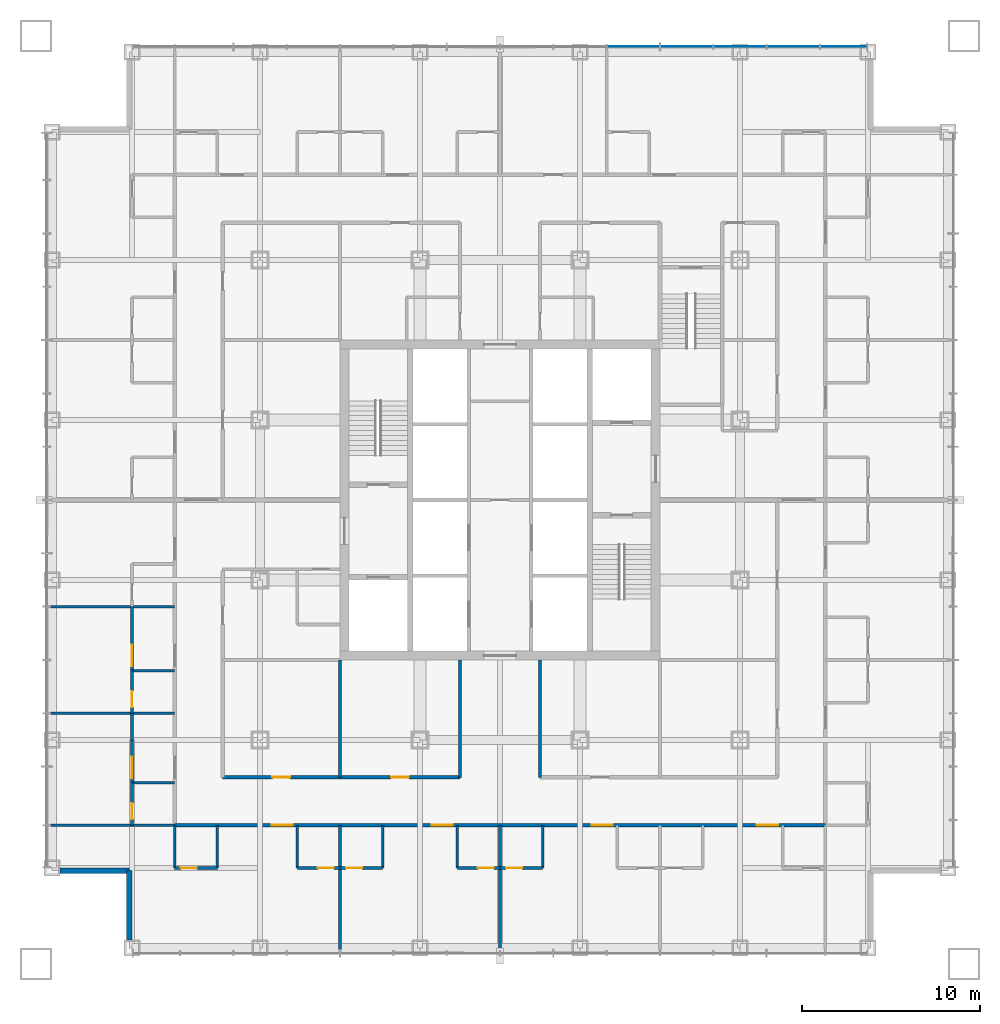
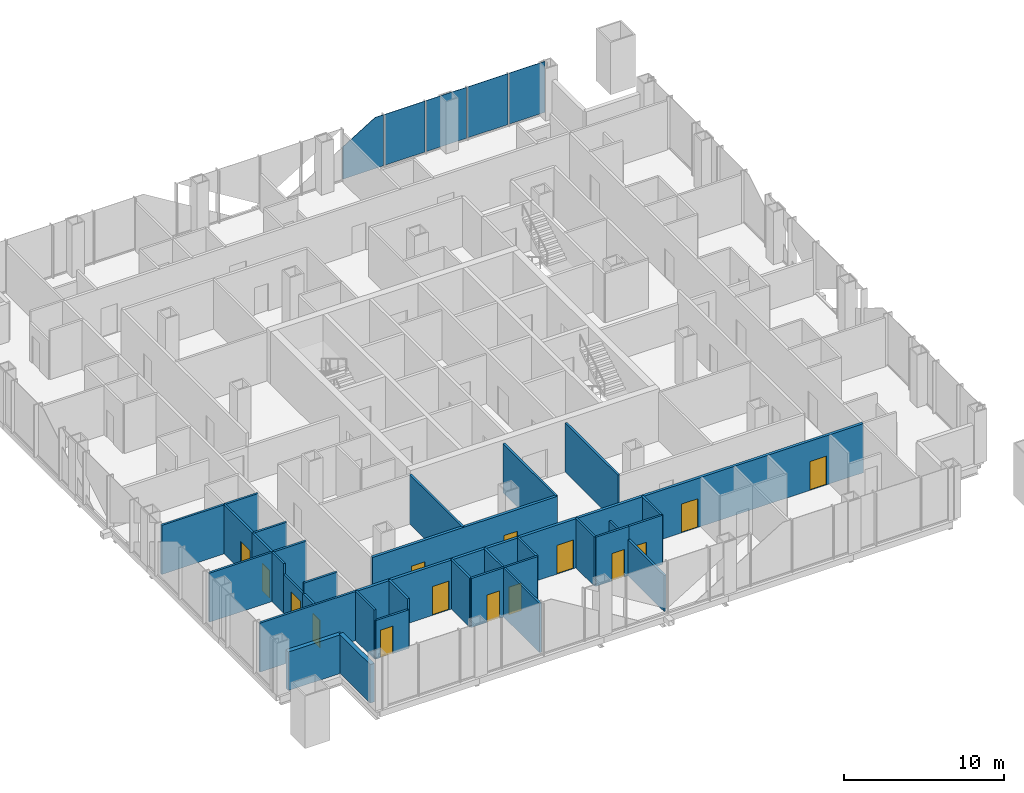
# One storey, part 7 of 13: 30 walls, 15 doors, 5 plates, 15 openings, 1 element without a shape of its own.
"""IFC4 building model written with IfcOpenShell, lengths in metres."""

from ifc_helpers import new_model, si_unit, direction, frame, frame_2d, origin, origin_2d, place, context, subcontext, project, spatial, polyline, rectangle, outline, extrude, material, layer, layer_set, type_object, element, fill, aggregate, save


model = new_model("IFC4")

# Units and contexts
model_context = context("Model", 3, precision=1e-05, world=origin(), true_north=direction((0.0, 1.0)))
body_context = subcontext(model_context, "Body", "Model", "MODEL_VIEW")
ifc_project = project(units=[si_unit("LENGTHUNIT", "METRE"), si_unit("AREAUNIT", "SQUARE_METRE"), si_unit("VOLUMEUNIT", "CUBIC_METRE"), si_unit("PLANEANGLEUNIT", "RADIAN"), si_unit("MASSUNIT", "GRAM", prefix="KILO")], contexts=[model_context])

# Site, building, storey
site_placement = place(None, origin())
site = spatial("IfcSite", under=ifc_project, at=site_placement, CompositionType="ELEMENT")
building_placement = place(site_placement, origin())
building = spatial("IfcBuilding", under=site, at=building_placement, Name="Malebo Sky Hospital", CompositionType="ELEMENT")
storey_placement = place(building_placement, frame((0.0, 0.0, 47.0)))
storey = spatial("IfcBuildingStorey", under=building, at=storey_placement, Name="L10", CompositionType="ELEMENT", Elevation=47.0)

# Curtain wall, plates
ifc_material_1 = material(Name="Anodised aluminium, natural silver", Category="aluminium")
ifc_layer_1 = layer(ifc_material_1, 0.25)
ifc_layer_set_1 = layer_set([ifc_layer_1], Name="WARD CURTAIN WALL NORTH AND SOUTH")
curtain_wall_type = type_object("IfcCurtainWallType", Name="WARD CURTAIN WALL NORTH AND SOUTH", PredefinedType="NOTDEFINED", material=ifc_layer_set_1)
curtain_wall_placement = place(storey_placement, origin())
curtain_wall = element("IfcCurtainWall", 1, at=curtain_wall_placement, inside=storey, type_object=curtain_wall_type, Name="NS curtain wall N", PredefinedType="NOTDEFINED")
ifc_material_2 = material(Name="Clear low-iron double glazing", Category="glass")
ifc_layer_2 = layer(ifc_material_2, 0.031982421875)
ifc_layer_set_2 = layer_set([ifc_layer_2], Name="VISION PANEL CLEAR 32")
plate_type = type_object("IfcPlateType", Name="VISION PANEL CLEAR 32", PredefinedType="CURTAIN_PANEL", material=ifc_layer_set_2)
plate_1_placement = place(storey_placement, frame((67.5, 87.5, 0.10009765625), z_axis=(0.0, 0.0, 1.0), x_axis=(1.0, 0.0, 0.0)))
plate_1 = element("IfcPlate", 2, at=plate_1_placement, type_object=plate_type, Name="Panel 10", PredefinedType="CURTAIN_PANEL", context=body_context, shape_type="SweptSolid", body=[
    extrude(outline(polyline([(-1.46240234375, 0.0), (1.46240234375, 0.0), (1.46240234375, 3.889892578125), (0.85791015625, 3.889892578125), (-1.46240234375, 2.467529296875), (-1.46240234375, 0.0)])), frame((0.0, 0.01611328125, 0.0), z_axis=(0.0, -1.0, 0.0), x_axis=(1.0, 0.0, 0.0)), (0.0, 0.0, 1.0), 0.031982421875),
])
plate_2_placement = place(storey_placement, frame((70.5, 87.5, 0.10009765625), z_axis=(0.0, 0.0, 1.0), x_axis=(1.0, 0.0, 0.0)))
plate_2 = element("IfcPlate", 3, at=plate_2_placement, type_object=plate_type, Name="Panel 11", PredefinedType="CURTAIN_PANEL", context=body_context, shape_type="SweptSolid", body=[
    extrude(rectangle(XDim=2.925048828125, YDim=0.031982421875, at=origin_2d()), origin(), (0.0, 0.0, 1.0), 3.889892578125),
])
plate_3_placement = place(storey_placement, frame((73.5, 87.5, 0.10009765625), z_axis=(0.0, 0.0, 1.0), x_axis=(1.0, 0.0, 0.0)))
plate_3 = element("IfcPlate", 4, at=plate_3_placement, type_object=plate_type, Name="Panel 12", PredefinedType="CURTAIN_PANEL", context=body_context, shape_type="SweptSolid", body=[
    extrude(rectangle(XDim=2.925048828125, YDim=0.031982421875, at=origin_2d()), origin(), (0.0, 0.0, 1.0), 3.889892578125),
])
plate_4_placement = place(storey_placement, frame((76.5, 87.5, 0.10009765625), z_axis=(0.0, 0.0, 1.0), x_axis=(1.0, 0.0, 0.0)))
plate_4 = element("IfcPlate", 5, at=plate_4_placement, type_object=plate_type, Name="Panel 13", PredefinedType="CURTAIN_PANEL", context=body_context, shape_type="SweptSolid", body=[
    extrude(rectangle(XDim=2.925048828125, YDim=0.031982421875, at=origin_2d()), origin(), (0.0, 0.0, 1.0), 3.889892578125),
])
plate_5_placement = place(storey_placement, frame((79.331298828125, 87.5, 0.10009765625), z_axis=(0.0, 0.0, 1.0), x_axis=(1.0, 0.0, 0.0)))
plate_5 = element("IfcPlate", 6, at=plate_5_placement, type_object=plate_type, Name="Panel 14", PredefinedType="CURTAIN_PANEL", context=body_context, shape_type="SweptSolid", body=[
    extrude(rectangle(XDim=2.58740234375, YDim=0.031982421875, at=origin_2d()), origin(), (0.0, 0.0, 1.0), 3.889892578125),
])
aggregate(curtain_wall, [plate_1, plate_2, plate_3, plate_4, plate_5])

# Wall, openings, doors
ifc_material_3 = material(Name="Gypsum board on steel studs", Category="steel")
ifc_layer_3 = layer(ifc_material_3, 0.199951171875)
ifc_layer_set_3 = layer_set([ifc_layer_3], Name="CORRIDOR WALL 200")
wall_type_1 = type_object("IfcWallType", Name="CORRIDOR WALL 200", PredefinedType="PARTITIONING", material=ifc_layer_set_3)
wall_1_placement = place(storey_placement, frame((78.300048828125, 43.699951171875, 0.0), z_axis=(0.0, 0.0, 1.0), x_axis=(-1.0, 0.0, 0.0)))
wall_1 = element("IfcWall", 7, at=wall_1_placement, inside=storey, type_object=wall_type_1, Name="Corridor Wall 200 SCO", PredefinedType="PARTITIONING", context=body_context, shape_type="SweptSolid", body=[
    extrude(rectangle(XDim=36.60009765625, YDim=0.199951171875, at=frame_2d((18.300048828125, 0.0))), origin(), (0.0, 0.0, 1.0), 3.75),
])
opening_1_placement = place(wall_1_placement, frame((2.64990234375, 0.0, 0.0)))
opening_1 = element("IfcOpeningElement", 8, at=opening_1_placement, cuts=wall_1, Name="Opening D01", PredefinedType="OPENING", context=body_context, shape_type="SweptSolid", body=[
    extrude(rectangle(XDim=1.199951171875, YDim=2.199951171875, at=frame_2d((0.60009765625, 1.10009765625))), frame((0.0, 0.10986328125, 0.0), z_axis=(0.0, -1.0, 0.0), x_axis=(1.0, 0.0, 0.0)), (0.0, 0.0, 1.0), 0.219970703125),
])
opening_2_placement = place(wall_1_placement, frame((11.949951171875, 0.0, 0.0)))
opening_2 = element("IfcOpeningElement", 9, at=opening_2_placement, cuts=wall_1, Name="Opening D01", PredefinedType="OPENING", context=body_context, shape_type="SweptSolid", body=[
    extrude(rectangle(XDim=1.199951171875, YDim=2.199951171875, at=frame_2d((0.60009765625, 1.10009765625))), frame((0.0, 0.10986328125, 0.0), z_axis=(0.0, -1.0, 0.0), x_axis=(1.0, 0.0, 0.0)), (0.0, 0.0, 1.0), 0.219970703125),
])
opening_3_placement = place(wall_1_placement, frame((20.949951171875, 0.0, 0.0)))
opening_3 = element("IfcOpeningElement", 10, at=opening_3_placement, cuts=wall_1, Name="Opening D01", PredefinedType="OPENING", context=body_context, shape_type="SweptSolid", body=[
    extrude(rectangle(XDim=1.199951171875, YDim=2.199951171875, at=frame_2d((0.60009765625, 1.10009765625))), frame((0.0, 0.10986328125, 0.0), z_axis=(0.0, -1.0, 0.0), x_axis=(1.0, 0.0, 0.0)), (0.0, 0.0, 1.0), 0.219970703125),
])
opening_4_placement = place(wall_1_placement, frame((29.949951171875, 0.0, 0.0)))
opening_4 = element("IfcOpeningElement", 11, at=opening_4_placement, cuts=wall_1, Name="Opening D01", PredefinedType="OPENING", context=body_context, shape_type="SweptSolid", body=[
    extrude(rectangle(XDim=1.199951171875, YDim=2.199951171875, at=frame_2d((0.60009765625, 1.10009765625))), frame((0.0, 0.10986328125, 0.0), z_axis=(0.0, -1.0, 0.0), x_axis=(1.0, 0.0, 0.0)), (0.0, 0.0, 1.0), 0.219970703125),
])
ifc_material_4 = material(Name="Hardwood-faced door leaf in steel frame", Category="steel")
door_type_1 = type_object("IfcDoorType", Name="BED DOOR 1200", OperationType="SINGLE_SWING_LEFT", PredefinedType="DOOR", material=ifc_material_4)
door_1_placement = place(opening_1_placement, origin())
door_1 = element("IfcDoor", 12, at=door_1_placement, inside=storey, type_object=door_type_1, Name="Four-bed bay door", OperationType="SINGLE_SWING_LEFT", OverallHeight=2.199951171875, OverallWidth=1.199951171875, PredefinedType="DOOR", context=body_context, shape_type="SweptSolid", body=[
    extrude(rectangle(XDim=1.199951171875, YDim=2.199951171875, at=frame_2d((0.60009765625, 1.10009765625))), frame((0.0, 0.02490234375, 0.0), z_axis=(0.0, -1.0, 0.0), x_axis=(1.0, 0.0, 0.0)), (0.0, 0.0, 1.0), 0.050048828125),
])
fill(opening_1, door_1)
door_2_placement = place(opening_2_placement, origin())
door_2 = element("IfcDoor", 13, at=door_2_placement, inside=storey, type_object=door_type_1, Name="Four-bed bay door", OperationType="SINGLE_SWING_LEFT", OverallHeight=2.199951171875, OverallWidth=1.199951171875, PredefinedType="DOOR", context=body_context, shape_type="SweptSolid", body=[
    extrude(rectangle(XDim=1.199951171875, YDim=2.199951171875, at=frame_2d((0.60009765625, 1.10009765625))), frame((0.0, 0.02490234375, 0.0), z_axis=(0.0, -1.0, 0.0), x_axis=(1.0, 0.0, 0.0)), (0.0, 0.0, 1.0), 0.050048828125),
])
fill(opening_2, door_2)
door_3_placement = place(opening_3_placement, origin())
door_3 = element("IfcDoor", 14, at=door_3_placement, inside=storey, type_object=door_type_1, Name="Four-bed bay door", OperationType="SINGLE_SWING_LEFT", OverallHeight=2.199951171875, OverallWidth=1.199951171875, PredefinedType="DOOR", context=body_context, shape_type="SweptSolid", body=[
    extrude(rectangle(XDim=1.199951171875, YDim=2.199951171875, at=frame_2d((0.60009765625, 1.10009765625))), frame((0.0, 0.02490234375, 0.0), z_axis=(0.0, -1.0, 0.0), x_axis=(1.0, 0.0, 0.0)), (0.0, 0.0, 1.0), 0.050048828125),
])
fill(opening_3, door_3)
door_4_placement = place(opening_4_placement, origin())
door_4 = element("IfcDoor", 15, at=door_4_placement, inside=storey, type_object=door_type_1, Name="Four-bed bay door", OperationType="SINGLE_SWING_LEFT", OverallHeight=2.199951171875, OverallWidth=1.199951171875, PredefinedType="DOOR", context=body_context, shape_type="SweptSolid", body=[
    extrude(rectangle(XDim=1.199951171875, YDim=2.199951171875, at=frame_2d((0.60009765625, 1.10009765625))), frame((0.0, 0.02490234375, 0.0), z_axis=(0.0, -1.0, 0.0), x_axis=(1.0, 0.0, 0.0)), (0.0, 0.0, 1.0), 0.050048828125),
])
fill(opening_4, door_4)

wall_2_placement = place(storey_placement, frame((57.75, 46.39990234375, 0.0), z_axis=(0.0, 0.0, 1.0), x_axis=(-1.0, 0.0, 0.0)))
wall_2 = element("IfcWall", 16, at=wall_2_placement, inside=storey, type_object=wall_type_1, Name="Corridor Wall 200 SCI2", PredefinedType="PARTITIONING", context=body_context, shape_type="SweptSolid", body=[
    extrude(rectangle(XDim=13.35009765625, YDim=0.199951171875, at=frame_2d((6.675048828125, 0.0))), origin(), (0.0, 0.0, 1.0), 3.75),
])
opening_5_placement = place(wall_2_placement, frame((2.875, 0.0, 0.0)))
opening_5 = element("IfcOpeningElement", 17, at=opening_5_placement, cuts=wall_2, Name="Opening D03", PredefinedType="OPENING", context=body_context, shape_type="SweptSolid", body=[
    extrude(rectangle(XDim=1.0, YDim=2.10009765625, at=frame_2d((0.5, 1.050048828125))), frame((0.0, 0.10986328125, 0.0), z_axis=(0.0, -1.0, 0.0), x_axis=(1.0, 0.0, 0.0)), (0.0, 0.0, 1.0), 0.219970703125),
])
opening_6_placement = place(wall_2_placement, frame((9.550048828125, 0.0, 0.0)))
opening_6 = element("IfcOpeningElement", 18, at=opening_6_placement, cuts=wall_2, Name="Opening D03", PredefinedType="OPENING", context=body_context, shape_type="SweptSolid", body=[
    extrude(rectangle(XDim=1.0, YDim=2.10009765625, at=frame_2d((0.5, 1.050048828125))), frame((0.0, 0.10986328125, 0.0), z_axis=(0.0, -1.0, 0.0), x_axis=(1.0, 0.0, 0.0)), (0.0, 0.0, 1.0), 0.219970703125),
])
door_type_2 = type_object("IfcDoorType", Name="ROOM DOOR 1000", OperationType="SINGLE_SWING_LEFT", PredefinedType="DOOR", material=ifc_material_4)
door_5_placement = place(opening_5_placement, origin())
door_5 = element("IfcDoor", 19, at=door_5_placement, inside=storey, type_object=door_type_2, Name="Ward pantry door", OperationType="SINGLE_SWING_LEFT", OverallHeight=2.10009765625, OverallWidth=1.0, PredefinedType="DOOR", context=body_context, shape_type="SweptSolid", body=[
    extrude(rectangle(XDim=1.0, YDim=2.10009765625, at=frame_2d((0.5, 1.050048828125))), frame((0.0, 0.02490234375, 0.0), z_axis=(0.0, -1.0, 0.0), x_axis=(1.0, 0.0, 0.0)), (0.0, 0.0, 1.0), 0.050048828125),
])
fill(opening_5, door_5)
door_6_placement = place(opening_6_placement, origin())
door_6 = element("IfcDoor", 20, at=door_6_placement, inside=storey, type_object=door_type_2, Name="Clean utility room door", OperationType="SINGLE_SWING_RIGHT", OverallHeight=2.10009765625, OverallWidth=1.0, PredefinedType="DOOR", context=body_context, shape_type="SweptSolid", body=[
    extrude(rectangle(XDim=1.0, YDim=2.10009765625, at=frame_2d((0.5, 1.050048828125))), frame((0.0, 0.02490234375, 0.0), z_axis=(0.0, -1.0, 0.0), x_axis=(1.0, 0.0, 0.0)), (0.0, 0.0, 1.0), 0.050048828125),
])
fill(opening_6, door_6)

# Walls
ifc_material_5 = material(Name="Anodised aluminium rainscreen on steel framing", Category="steel")
ifc_layer_4 = layer(ifc_material_5, 0.300048828125)
ifc_layer_set_4 = layer_set([ifc_layer_4], Name="NOTCH RAINSCREEN WALL 300")
wall_type_2 = type_object("IfcWallType", Name="NOTCH RAINSCREEN WALL 300", PredefinedType="ELEMENTEDWALL", material=ifc_layer_set_4)
for number, where, z_axis, x_axis, name in (
    (21, (39.14990234375, 37.25, 0.0), (0.0, 0.0, 1.0), (0.0, 1.0, 0.0), "Notch rainscreen wall S1 L10"),
    (22, (39.14990234375, 41.14990234375, 0.0), (0.0, 0.0, 1.0), (-1.0, 0.0, 0.0), "Notch rainscreen wall S2 L10"),
):
    element("IfcWall", number, at=place(storey_placement, frame(where, z_axis=z_axis, x_axis=x_axis)), inside=storey, type_object=wall_type_2, Name=name, PredefinedType="ELEMENTEDWALL", context=body_context, shape_type="SweptSolid", body=[
        extrude(rectangle(XDim=3.89990234375, YDim=0.300048828125, at=frame_2d((1.949951171875, 0.0))), origin(), (0.0, 0.0, 1.0), 2.949951171875),
    ])
ifc_layer_5 = layer(ifc_material_3, 0.14990234375)
ifc_layer_set_5 = layer_set([ifc_layer_5], Name="PARTITION 150")
wall_type_3 = type_object("IfcWallType", Name="PARTITION 150", PredefinedType="PARTITIONING", material=ifc_layer_set_5)
for number, where, z_axis, x_axis, name in (
    (23, (41.699951171875, 50.0, 0.0), (0.0, 0.0, 1.0), (-1.0, 0.0, 0.0), "Partition 150 WP-12.0"),
    (24, (41.699951171875, 56.0, 0.0), (0.0, 0.0, 1.0), (-1.0, 0.0, 0.0), "Partition 150 WP-6.0"),
    (25, (41.699951171875, 43.699951171875, 0.0), (0.0, 0.0, 1.0), (-1.0, 0.0, 0.0), "Partition 150 WP0"),
):
    element("IfcWall", number, at=place(storey_placement, frame(where, z_axis=z_axis, x_axis=x_axis)), inside=storey, type_object=wall_type_3, Name=name, PredefinedType="PARTITIONING", context=body_context, shape_type="SweptSolid", body=[
        extrude(rectangle(XDim=6.974853515625, YDim=0.14990234375, at=frame_2d((3.4873046875, 0.0))), origin(), (0.0, 0.0, 1.0), 3.75),
    ])

# Wall, opening, door
wall_3_placement = place(storey_placement, frame((39.300048828125, 43.699951171875, 0.0), z_axis=(0.0, 0.0, 1.0), x_axis=(0.0, 1.0, 0.0)))
wall_3 = element("IfcWall", 26, at=wall_3_placement, inside=storey, type_object=wall_type_3, Name="Partition 150 WE0F", PredefinedType="PARTITIONING", context=body_context, shape_type="SweptSolid", body=[
    extrude(rectangle(XDim=2.400146484375, YDim=0.14990234375, at=frame_2d((1.2001953125, 0.0))), origin(), (0.0, 0.0, 1.0), 2.949951171875),
])
opening_7_placement = place(wall_3_placement, frame((0.35009765625, 0.0, 0.0)))
opening_7 = element("IfcOpeningElement", 27, at=opening_7_placement, cuts=wall_3, Name="Opening D02", PredefinedType="OPENING", context=body_context, shape_type="SweptSolid", body=[
    extrude(rectangle(XDim=0.89990234375, YDim=2.10009765625, at=frame_2d((0.449951171875, 1.050048828125))), frame((0.0, 0.0849609375, 0.0), z_axis=(0.0, -1.0, 0.0), x_axis=(1.0, 0.0, 0.0)), (0.0, 0.0, 1.0), 0.169921875),
])
door_type_3 = type_object("IfcDoorType", Name="EN-SUITE DOOR 900", OperationType="SINGLE_SWING_LEFT", PredefinedType="DOOR", material=ifc_material_4)
door_7_placement = place(opening_7_placement, origin())
door_7 = element("IfcDoor", 28, at=door_7_placement, inside=storey, type_object=door_type_3, Name="En-suite door", OperationType="SINGLE_SWING_LEFT", OverallHeight=2.10009765625, OverallWidth=0.89990234375, PredefinedType="DOOR", context=body_context, shape_type="SweptSolid", body=[
    extrude(rectangle(XDim=0.89990234375, YDim=2.10009765625, at=frame_2d((0.449951171875, 1.050048828125))), frame((0.0, 0.02490234375, 0.0), z_axis=(0.0, -1.0, 0.0), x_axis=(1.0, 0.0, 0.0)), (0.0, 0.0, 1.0), 0.050048828125),
])
fill(opening_7, door_7)

# Wall
wall_4_placement = place(storey_placement, frame((41.699951171875, 46.10009765625, 0.0), z_axis=(0.0, 0.0, 1.0), x_axis=(-1.0, 0.0, 0.0)))
element("IfcWall", 29, at=wall_4_placement, inside=storey, type_object=wall_type_3, Name="Partition 150 WE0S", PredefinedType="PARTITIONING", context=body_context, shape_type="SweptSolid", body=[
    extrude(rectangle(XDim=2.39990234375, YDim=0.14990234375, at=frame_2d((1.199951171875, 0.0))), origin(), (0.0, 0.0, 1.0), 3.75),
])

# Wall, opening, door
wall_5_placement = place(storey_placement, frame((39.300048828125, 50.0, 0.0), z_axis=(0.0, 0.0, 1.0), x_axis=(0.0, 1.0, 0.0)))
wall_5 = element("IfcWall", 30, at=wall_5_placement, inside=storey, type_object=wall_type_3, Name="Partition 150 WE1F", PredefinedType="PARTITIONING", context=body_context, shape_type="SweptSolid", body=[
    extrude(rectangle(XDim=2.39990234375, YDim=0.14990234375, at=frame_2d((1.199951171875, 0.0))), origin(), (0.0, 0.0, 1.0), 3.75),
])
opening_8_placement = place(wall_5_placement, frame((0.35009765625, 0.0, 0.0)))
opening_8 = element("IfcOpeningElement", 31, at=opening_8_placement, cuts=wall_5, Name="Opening D02", PredefinedType="OPENING", context=body_context, shape_type="SweptSolid", body=[
    extrude(rectangle(XDim=0.89990234375, YDim=2.10009765625, at=frame_2d((0.449951171875, 1.050048828125))), frame((0.0, 0.0849609375, 0.0), z_axis=(0.0, -1.0, 0.0), x_axis=(1.0, 0.0, 0.0)), (0.0, 0.0, 1.0), 0.169921875),
])
door_8_placement = place(opening_8_placement, origin())
door_8 = element("IfcDoor", 32, at=door_8_placement, inside=storey, type_object=door_type_3, Name="En-suite door", OperationType="SINGLE_SWING_LEFT", OverallHeight=2.10009765625, OverallWidth=0.89990234375, PredefinedType="DOOR", context=body_context, shape_type="SweptSolid", body=[
    extrude(rectangle(XDim=0.89990234375, YDim=2.10009765625, at=frame_2d((0.449951171875, 1.050048828125))), frame((0.0, 0.02490234375, 0.0), z_axis=(0.0, -1.0, 0.0), x_axis=(1.0, 0.0, 0.0)), (0.0, 0.0, 1.0), 0.050048828125),
])
fill(opening_8, door_8)

# Walls
wall_6_placement = place(storey_placement, frame((41.699951171875, 52.39990234375, 0.0), z_axis=(0.0, 0.0, 1.0), x_axis=(-1.0, 0.0, 0.0)))
element("IfcWall", 33, at=wall_6_placement, inside=storey, type_object=wall_type_3, Name="Partition 150 WE1S", PredefinedType="PARTITIONING", context=body_context, shape_type="SweptSolid", body=[
    extrude(rectangle(XDim=2.39990234375, YDim=0.14990234375, at=frame_2d((1.199951171875, 0.0))), origin(), (0.0, 0.0, 1.0), 3.75),
])
wall_7_placement = place(storey_placement, frame((60.0, 43.699951171875, 0.0), z_axis=(0.0, 0.0, 1.0), x_axis=(0.0, -1.0, 0.0)))
element("IfcWall", 34, at=wall_7_placement, inside=storey, type_object=wall_type_3, Name="Partition 150 SP+0.0", PredefinedType="PARTITIONING", context=body_context, shape_type="SweptSolid", body=[
    extrude(rectangle(XDim=6.974853515625, YDim=0.14990234375, at=frame_2d((3.4873046875, 0.0))), origin(), (0.0, 0.0, 1.0), 2.75),
])
wall_8_placement = place(storey_placement, frame((51.0, 43.699951171875, 0.0), z_axis=(0.0, 0.0, 1.0), x_axis=(0.0, -1.0, 0.0)))
element("IfcWall", 35, at=wall_8_placement, inside=storey, type_object=wall_type_3, Name="Partition 150 SP+9.0", PredefinedType="PARTITIONING", context=body_context, shape_type="SweptSolid", body=[
    extrude(rectangle(XDim=6.974853515625, YDim=0.14990234375, at=frame_2d((3.4873046875, 0.0))), origin(), (0.0, 0.0, 1.0), 3.75),
])

# Wall, opening, door
wall_9_placement = place(storey_placement, frame((62.39990234375, 41.300048828125, 0.0), z_axis=(0.0, 0.0, 1.0), x_axis=(-1.0, 0.0, 0.0)))
wall_9 = element("IfcWall", 36, at=wall_9_placement, inside=storey, type_object=wall_type_3, Name="Partition 150 SG1F", PredefinedType="PARTITIONING", context=body_context, shape_type="SweptSolid", body=[
    extrude(rectangle(XDim=2.39990234375, YDim=0.14990234375, at=frame_2d((1.199951171875, 0.0))), origin(), (0.0, 0.0, 1.0), 3.75),
])
opening_9_placement = place(wall_9_placement, frame((1.14990234375, 0.0, 0.0)))
opening_9 = element("IfcOpeningElement", 37, at=opening_9_placement, cuts=wall_9, Name="Opening D02", PredefinedType="OPENING", context=body_context, shape_type="SweptSolid", body=[
    extrude(rectangle(XDim=0.89990234375, YDim=2.10009765625, at=frame_2d((0.449951171875, 1.050048828125))), frame((0.0, 0.0849609375, 0.0), z_axis=(0.0, -1.0, 0.0), x_axis=(1.0, 0.0, 0.0)), (0.0, 0.0, 1.0), 0.169921875),
])
door_9_placement = place(opening_9_placement, origin())
door_9 = element("IfcDoor", 38, at=door_9_placement, inside=storey, type_object=door_type_3, Name="En-suite door", OperationType="SINGLE_SWING_RIGHT", OverallHeight=2.10009765625, OverallWidth=0.89990234375, PredefinedType="DOOR", context=body_context, shape_type="SweptSolid", body=[
    extrude(rectangle(XDim=0.89990234375, YDim=2.10009765625, at=frame_2d((0.449951171875, 1.050048828125))), frame((0.0, 0.02490234375, 0.0), z_axis=(0.0, -1.0, 0.0), x_axis=(1.0, 0.0, 0.0)), (0.0, 0.0, 1.0), 0.050048828125),
])
fill(opening_9, door_9)

# Wall
wall_10_placement = place(storey_placement, frame((62.39990234375, 43.699951171875, 0.0), z_axis=(0.0, 0.0, 1.0), x_axis=(0.0, -1.0, 0.0)))
element("IfcWall", 39, at=wall_10_placement, inside=storey, type_object=wall_type_3, Name="Partition 150 SG1S", PredefinedType="PARTITIONING", context=body_context, shape_type="SweptSolid", body=[
    extrude(rectangle(XDim=2.39990234375, YDim=0.14990234375, at=frame_2d((1.199951171875, 0.0))), origin(), (0.0, 0.0, 1.0), 3.75),
])

# Wall, opening, door
wall_11_placement = place(storey_placement, frame((60.0, 41.300048828125, 0.0), z_axis=(0.0, 0.0, 1.0), x_axis=(-1.0, 0.0, 0.0)))
wall_11 = element("IfcWall", 40, at=wall_11_placement, inside=storey, type_object=wall_type_3, Name="Partition 150 SE2F", PredefinedType="PARTITIONING", context=body_context, shape_type="SweptSolid", body=[
    extrude(rectangle(XDim=2.39990234375, YDim=0.14990234375, at=frame_2d((1.199951171875, 0.0))), origin(), (0.0, 0.0, 1.0), 3.75),
])
opening_10_placement = place(wall_11_placement, frame((0.35009765625, 0.0, 0.0)))
opening_10 = element("IfcOpeningElement", 41, at=opening_10_placement, cuts=wall_11, Name="Opening D02", PredefinedType="OPENING", context=body_context, shape_type="SweptSolid", body=[
    extrude(rectangle(XDim=0.89990234375, YDim=2.10009765625, at=frame_2d((0.449951171875, 1.050048828125))), frame((0.0, 0.0849609375, 0.0), z_axis=(0.0, -1.0, 0.0), x_axis=(1.0, 0.0, 0.0)), (0.0, 0.0, 1.0), 0.169921875),
])
door_10_placement = place(opening_10_placement, origin())
door_10 = element("IfcDoor", 42, at=door_10_placement, inside=storey, type_object=door_type_3, Name="En-suite door", OperationType="SINGLE_SWING_LEFT", OverallHeight=2.10009765625, OverallWidth=0.89990234375, PredefinedType="DOOR", context=body_context, shape_type="SweptSolid", body=[
    extrude(rectangle(XDim=0.89990234375, YDim=2.10009765625, at=frame_2d((0.449951171875, 1.050048828125))), frame((0.0, 0.02490234375, 0.0), z_axis=(0.0, -1.0, 0.0), x_axis=(1.0, 0.0, 0.0)), (0.0, 0.0, 1.0), 0.050048828125),
])
fill(opening_10, door_10)

# Wall
wall_12_placement = place(storey_placement, frame((57.60009765625, 43.699951171875, 0.0), z_axis=(0.0, 0.0, 1.0), x_axis=(0.0, -1.0, 0.0)))
element("IfcWall", 43, at=wall_12_placement, inside=storey, type_object=wall_type_3, Name="Partition 150 SE2S", PredefinedType="PARTITIONING", context=body_context, shape_type="SweptSolid", body=[
    extrude(rectangle(XDim=2.39990234375, YDim=0.14990234375, at=frame_2d((1.199951171875, 0.0))), origin(), (0.0, 0.0, 1.0), 3.75),
])

# Wall, opening, door
wall_13_placement = place(storey_placement, frame((53.39990234375, 41.300048828125, 0.0), z_axis=(0.0, 0.0, 1.0), x_axis=(-1.0, 0.0, 0.0)))
wall_13 = element("IfcWall", 44, at=wall_13_placement, inside=storey, type_object=wall_type_3, Name="Partition 150 SG2F", PredefinedType="PARTITIONING", context=body_context, shape_type="SweptSolid", body=[
    extrude(rectangle(XDim=2.39990234375, YDim=0.14990234375, at=frame_2d((1.199951171875, 0.0))), origin(), (0.0, 0.0, 1.0), 3.75),
])
opening_11_placement = place(wall_13_placement, frame((1.14990234375, 0.0, 0.0)))
opening_11 = element("IfcOpeningElement", 45, at=opening_11_placement, cuts=wall_13, Name="Opening D02", PredefinedType="OPENING", context=body_context, shape_type="SweptSolid", body=[
    extrude(rectangle(XDim=0.89990234375, YDim=2.10009765625, at=frame_2d((0.449951171875, 1.050048828125))), frame((0.0, 0.0849609375, 0.0), z_axis=(0.0, -1.0, 0.0), x_axis=(1.0, 0.0, 0.0)), (0.0, 0.0, 1.0), 0.169921875),
])
door_11_placement = place(opening_11_placement, origin())
door_11 = element("IfcDoor", 46, at=door_11_placement, inside=storey, type_object=door_type_3, Name="En-suite door", OperationType="SINGLE_SWING_RIGHT", OverallHeight=2.10009765625, OverallWidth=0.89990234375, PredefinedType="DOOR", context=body_context, shape_type="SweptSolid", body=[
    extrude(rectangle(XDim=0.89990234375, YDim=2.10009765625, at=frame_2d((0.449951171875, 1.050048828125))), frame((0.0, 0.02490234375, 0.0), z_axis=(0.0, -1.0, 0.0), x_axis=(1.0, 0.0, 0.0)), (0.0, 0.0, 1.0), 0.050048828125),
])
fill(opening_11, door_11)

# Wall
wall_14_placement = place(storey_placement, frame((53.39990234375, 43.699951171875, 0.0), z_axis=(0.0, 0.0, 1.0), x_axis=(0.0, -1.0, 0.0)))
element("IfcWall", 47, at=wall_14_placement, inside=storey, type_object=wall_type_3, Name="Partition 150 SG2S", PredefinedType="PARTITIONING", context=body_context, shape_type="SweptSolid", body=[
    extrude(rectangle(XDim=2.39990234375, YDim=0.14990234375, at=frame_2d((1.199951171875, 0.0))), origin(), (0.0, 0.0, 1.0), 3.75),
])

# Wall, opening, door
wall_15_placement = place(storey_placement, frame((51.0, 41.300048828125, 0.0), z_axis=(0.0, 0.0, 1.0), x_axis=(-1.0, 0.0, 0.0)))
wall_15 = element("IfcWall", 48, at=wall_15_placement, inside=storey, type_object=wall_type_3, Name="Partition 150 SE3F", PredefinedType="PARTITIONING", context=body_context, shape_type="SweptSolid", body=[
    extrude(rectangle(XDim=2.39990234375, YDim=0.14990234375, at=frame_2d((1.199951171875, 0.0))), origin(), (0.0, 0.0, 1.0), 3.75),
])
opening_12_placement = place(wall_15_placement, frame((0.35009765625, 0.0, 0.0)))
opening_12 = element("IfcOpeningElement", 49, at=opening_12_placement, cuts=wall_15, Name="Opening D02", PredefinedType="OPENING", context=body_context, shape_type="SweptSolid", body=[
    extrude(rectangle(XDim=0.89990234375, YDim=2.10009765625, at=frame_2d((0.449951171875, 1.050048828125))), frame((0.0, 0.0849609375, 0.0), z_axis=(0.0, -1.0, 0.0), x_axis=(1.0, 0.0, 0.0)), (0.0, 0.0, 1.0), 0.169921875),
])
door_12_placement = place(opening_12_placement, origin())
door_12 = element("IfcDoor", 50, at=door_12_placement, inside=storey, type_object=door_type_3, Name="En-suite door", OperationType="SINGLE_SWING_LEFT", OverallHeight=2.10009765625, OverallWidth=0.89990234375, PredefinedType="DOOR", context=body_context, shape_type="SweptSolid", body=[
    extrude(rectangle(XDim=0.89990234375, YDim=2.10009765625, at=frame_2d((0.449951171875, 1.050048828125))), frame((0.0, 0.02490234375, 0.0), z_axis=(0.0, -1.0, 0.0), x_axis=(1.0, 0.0, 0.0)), (0.0, 0.0, 1.0), 0.050048828125),
])
fill(opening_12, door_12)

# Wall
wall_16_placement = place(storey_placement, frame((48.60009765625, 43.699951171875, 0.0), z_axis=(0.0, 0.0, 1.0), x_axis=(0.0, -1.0, 0.0)))
element("IfcWall", 51, at=wall_16_placement, inside=storey, type_object=wall_type_3, Name="Partition 150 SE3S", PredefinedType="PARTITIONING", context=body_context, shape_type="SweptSolid", body=[
    extrude(rectangle(XDim=2.39990234375, YDim=0.14990234375, at=frame_2d((1.199951171875, 0.0))), origin(), (0.0, 0.0, 1.0), 3.75),
])

# Wall, opening, door
wall_17_placement = place(storey_placement, frame((44.10009765625, 41.300048828125, 0.0), z_axis=(0.0, 0.0, 1.0), x_axis=(-1.0, 0.0, 0.0)))
wall_17 = element("IfcWall", 52, at=wall_17_placement, inside=storey, type_object=wall_type_3, Name="Partition 150 SG3F", PredefinedType="PARTITIONING", context=body_context, shape_type="SweptSolid", body=[
    extrude(rectangle(XDim=2.400146484375, YDim=0.14990234375, at=frame_2d((1.2001953125, 0.0))), origin(), (0.0, 0.0, 1.0), 2.949951171875),
])
opening_13_placement = place(wall_17_placement, frame((1.14990234375, 0.0, 0.0)))
opening_13 = element("IfcOpeningElement", 53, at=opening_13_placement, cuts=wall_17, Name="Opening D02", PredefinedType="OPENING", context=body_context, shape_type="SweptSolid", body=[
    extrude(rectangle(XDim=0.89990234375, YDim=2.10009765625, at=frame_2d((0.449951171875, 1.050048828125))), frame((0.0, 0.0849609375, 0.0), z_axis=(0.0, -1.0, 0.0), x_axis=(1.0, 0.0, 0.0)), (0.0, 0.0, 1.0), 0.169921875),
])
door_13_placement = place(opening_13_placement, origin())
door_13 = element("IfcDoor", 54, at=door_13_placement, inside=storey, type_object=door_type_3, Name="En-suite door", OperationType="SINGLE_SWING_RIGHT", OverallHeight=2.10009765625, OverallWidth=0.89990234375, PredefinedType="DOOR", context=body_context, shape_type="SweptSolid", body=[
    extrude(rectangle(XDim=0.89990234375, YDim=2.10009765625, at=frame_2d((0.449951171875, 1.050048828125))), frame((0.0, 0.02490234375, 0.0), z_axis=(0.0, -1.0, 0.0), x_axis=(1.0, 0.0, 0.0)), (0.0, 0.0, 1.0), 0.050048828125),
])
fill(opening_13, door_13)

# Walls
for number, where, z_axis, x_axis, name in (
    (55, (44.10009765625, 43.699951171875, 0.0), (0.0, 0.0, 1.0), (0.0, -1.0, 0.0), "Partition 150 SG3S"),
    (56, (41.699951171875, 43.699951171875, 0.0), (0.0, 0.0, 1.0), (0.0, -1.0, 0.0), "Partition 150 SEZ"),
):
    element("IfcWall", number, at=place(storey_placement, frame(where, z_axis=z_axis, x_axis=x_axis)), inside=storey, type_object=wall_type_3, Name=name, PredefinedType="PARTITIONING", context=body_context, shape_type="SweptSolid", body=[
        extrude(rectangle(XDim=2.39990234375, YDim=0.14990234375, at=frame_2d((1.199951171875, 0.0))), origin(), (0.0, 0.0, 1.0), 3.75),
    ])
for number, where, z_axis, x_axis, name in (
    (57, (62.25, 53.0, 0.0), (0.0, 0.0, 1.0), (0.0, -1.0, 0.0), "Partition 150 SSPA"),
    (58, (57.75, 53.0, 0.0), (0.0, 0.0, 1.0), (0.0, -1.0, 0.0), "Partition 150 SSPB"),
    (59, (51.0, 53.0, 0.0), (0.0, 0.0, 1.0), (0.0, -1.0, 0.0), "Partition 150 SSP+9.0"),
):
    element("IfcWall", number, at=place(storey_placement, frame(where, z_axis=z_axis, x_axis=x_axis)), inside=storey, type_object=wall_type_3, Name=name, PredefinedType="PARTITIONING", context=body_context, shape_type="SweptSolid", body=[
        extrude(rectangle(XDim=6.60009765625, YDim=0.14990234375, at=frame_2d((3.300048828125, 0.0))), origin(), (0.0, 0.0, 1.0), 3.75),
    ])

# Wall, opening, door
ifc_material_6 = material(Name="Sealed gypsum board on steel studs, taped to the slab", Category="steel")
ifc_layer_6 = layer(ifc_material_6, 0.14990234375)
ifc_layer_set_6 = layer_set([ifc_layer_6], Name="SEALED ISOLATION PARTITION 150")
wall_type_4 = type_object("IfcWallType", Name="SEALED ISOLATION PARTITION 150", PredefinedType="PARTITIONING", material=ifc_layer_set_6)
wall_18_placement = place(storey_placement, frame((39.300048828125, 46.10009765625, 0.0), z_axis=(0.0, 0.0, 1.0), x_axis=(0.0, 1.0, 0.0)))
wall_18 = element("IfcWall", 60, at=wall_18_placement, inside=storey, type_object=wall_type_4, Name="Sealed Isolation Partition 150 WA0F", PredefinedType="PARTITIONING", context=body_context, shape_type="SweptSolid", body=[
    extrude(rectangle(XDim=2.39990234375, YDim=0.14990234375, at=frame_2d((1.199951171875, 0.0))), origin(), (0.0, 0.0, 1.0), 2.949951171875),
])
opening_14_placement = place(wall_18_placement, frame((0.25, 0.0, 0.0)))
opening_14 = element("IfcOpeningElement", 61, at=opening_14_placement, cuts=wall_18, Name="Opening D19", PredefinedType="OPENING", context=body_context, shape_type="SweptSolid", body=[
    extrude(rectangle(XDim=1.199951171875, YDim=2.199951171875, at=frame_2d((0.60009765625, 1.10009765625))), frame((0.0, 0.0849609375, 0.0), z_axis=(0.0, -1.0, 0.0), x_axis=(1.0, 0.0, 0.0)), (0.0, 0.0, 1.0), 0.169921875),
])
ifc_material_7 = material(Name="Hardwood-faced door leaf with perimeter seals in steel frame", Category="steel")
door_type_4 = type_object("IfcDoorType", Name="SEALED ISOLATION ROOM DOOR 1200", OperationType="SINGLE_SWING_LEFT", PredefinedType="DOOR", material=ifc_material_7)
door_14_placement = place(opening_14_placement, origin())
door_14 = element("IfcDoor", 62, at=door_14_placement, inside=storey, type_object=door_type_4, Name="Isolation room door", OperationType="SINGLE_SWING_LEFT", OverallHeight=2.199951171875, OverallWidth=1.199951171875, PredefinedType="DOOR", context=body_context, shape_type="SweptSolid", body=[
    extrude(rectangle(XDim=1.199951171875, YDim=2.199951171875, at=frame_2d((0.60009765625, 1.10009765625))), frame((0.0, 0.02490234375, 0.0), z_axis=(0.0, -1.0, 0.0), x_axis=(1.0, 0.0, 0.0)), (0.0, 0.0, 1.0), 0.050048828125),
])
fill(opening_14, door_14)

# Wall
wall_19_placement = place(storey_placement, frame((39.300048828125, 48.5, 0.0), z_axis=(0.0, 0.0, 1.0), x_axis=(0.0, 1.0, 0.0)))
element("IfcWall", 63, at=wall_19_placement, inside=storey, type_object=wall_type_4, Name="Sealed Isolation Partition 150 WA0F", PredefinedType="PARTITIONING", context=body_context, shape_type="SweptSolid", body=[
    extrude(rectangle(XDim=1.5, YDim=0.14990234375, at=frame_2d((0.75, 0.0))), origin(), (0.0, 0.0, 1.0), 3.75),
])

# Wall, opening, door
wall_20_placement = place(storey_placement, frame((39.300048828125, 52.39990234375, 0.0), z_axis=(0.0, 0.0, 1.0), x_axis=(0.0, 1.0, 0.0)))
wall_20 = element("IfcWall", 64, at=wall_20_placement, inside=storey, type_object=wall_type_4, Name="Sealed Isolation Partition 150 WA1F", PredefinedType="PARTITIONING", context=body_context, shape_type="SweptSolid", body=[
    extrude(rectangle(XDim=3.60009765625, YDim=0.14990234375, at=frame_2d((1.800048828125, 0.0))), origin(), (0.0, 0.0, 1.0), 3.75),
])
opening_15_placement = place(wall_20_placement, frame((0.25, 0.0, 0.0)))
opening_15 = element("IfcOpeningElement", 65, at=opening_15_placement, cuts=wall_20, Name="Opening D19", PredefinedType="OPENING", context=body_context, shape_type="SweptSolid", body=[
    extrude(rectangle(XDim=1.199951171875, YDim=2.199951171875, at=frame_2d((0.60009765625, 1.10009765625))), frame((0.0, 0.0849609375, 0.0), z_axis=(0.0, -1.0, 0.0), x_axis=(1.0, 0.0, 0.0)), (0.0, 0.0, 1.0), 0.169921875),
])
door_15_placement = place(opening_15_placement, origin())
door_15 = element("IfcDoor", 66, at=door_15_placement, inside=storey, type_object=door_type_4, Name="Isolation room door", OperationType="SINGLE_SWING_LEFT", OverallHeight=2.199951171875, OverallWidth=1.199951171875, PredefinedType="DOOR", context=body_context, shape_type="SweptSolid", body=[
    extrude(rectangle(XDim=1.199951171875, YDim=2.199951171875, at=frame_2d((0.60009765625, 1.10009765625))), frame((0.0, 0.02490234375, 0.0), z_axis=(0.0, -1.0, 0.0), x_axis=(1.0, 0.0, 0.0)), (0.0, 0.0, 1.0), 0.050048828125),
])
fill(opening_15, door_15)

save(model, "model.ifc")
